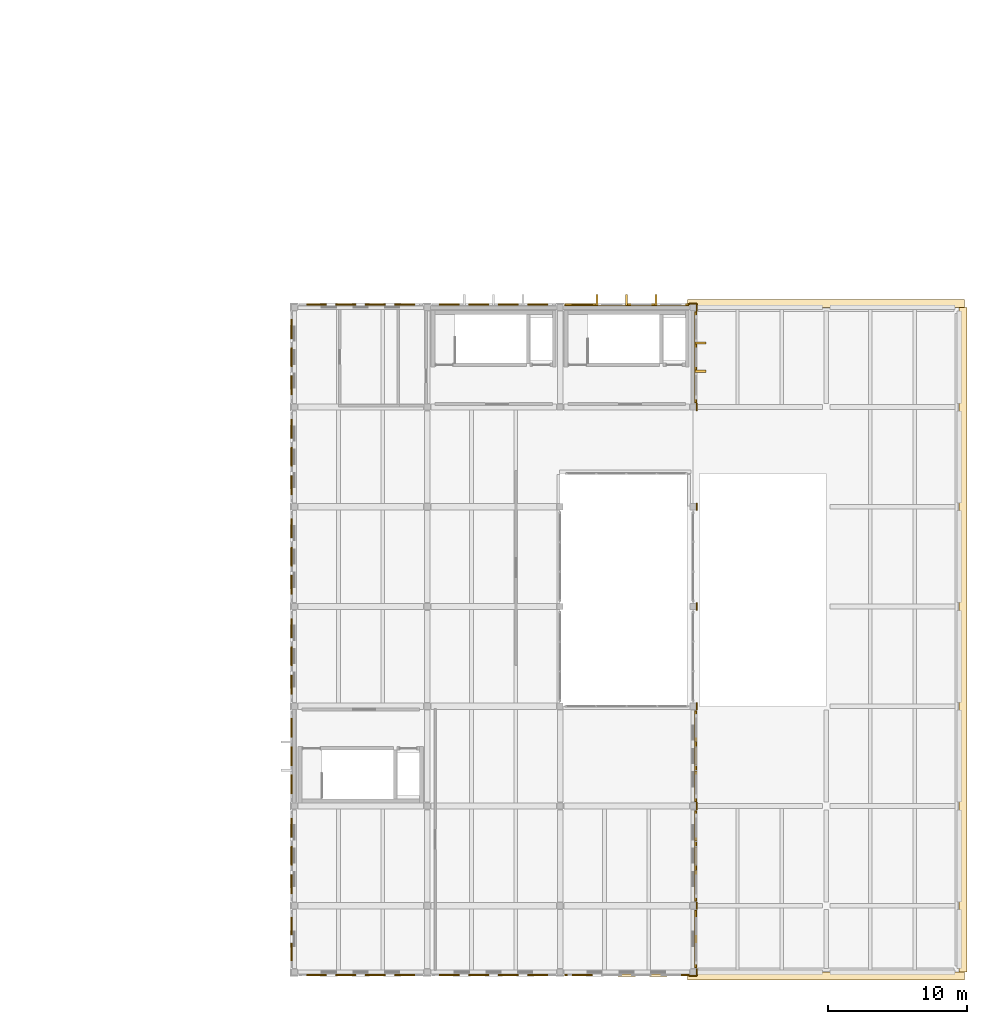
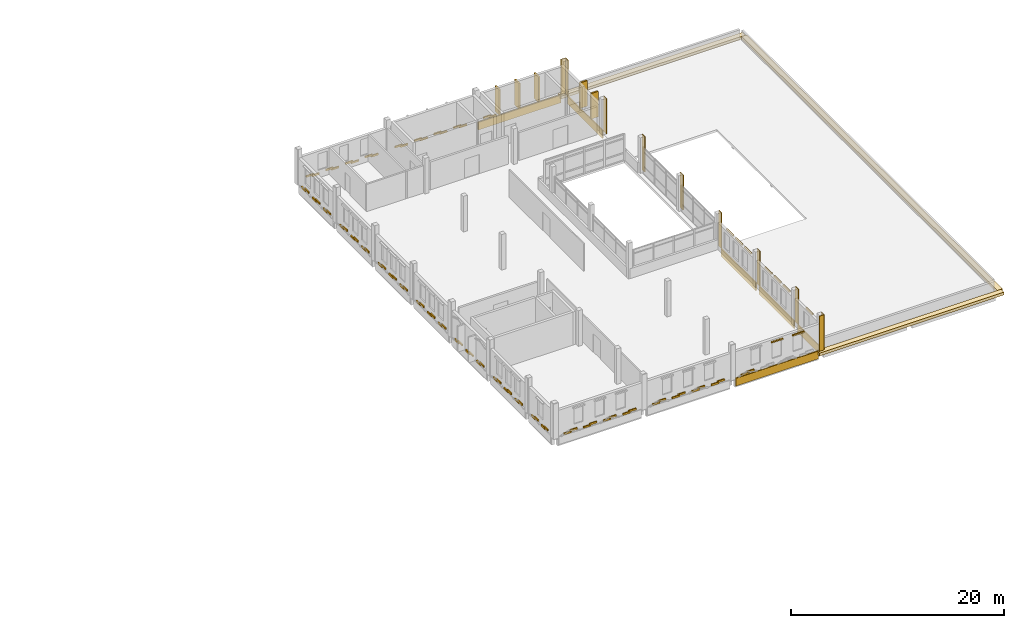
# One storey, part 48 of 50: 109 coverings.
"""IFC4 building model written with IfcOpenShell, lengths in metres."""

from ifc_helpers import new_model, si_unit, direction, frame, origin, origin_2d, place, context, subcontext, project, spatial, rectangle, extrude, material, layer, layer_set, type_object, element, save


model = new_model("IFC4")

# Units and contexts
model_context = context("Model", 3, precision=1e-05, world=origin(), true_north=direction((0.0, 1.0)))
body_context = subcontext(model_context, "Body", "Model", "MODEL_VIEW")
ifc_project = project(units=[si_unit("LENGTHUNIT", "METRE"), si_unit("AREAUNIT", "SQUARE_METRE"), si_unit("VOLUMEUNIT", "CUBIC_METRE"), si_unit("PLANEANGLEUNIT", "RADIAN"), si_unit("MASSUNIT", "GRAM", prefix="KILO")], contexts=[model_context])

# Site, building, storey
site_placement = place(None, origin())
site = spatial("IfcSite", under=ifc_project, at=site_placement, CompositionType="ELEMENT")
building_placement = place(site_placement, origin())
building = spatial("IfcBuilding", under=site, at=building_placement, Name="Asteropetra Specialist Clinic", CompositionType="ELEMENT")
storey_placement = place(building_placement, frame((0.0, 0.0, 16.659912109375)))
storey = spatial("IfcBuildingStorey", under=building, at=storey_placement, Name="L04", CompositionType="ELEMENT", Elevation=16.659912109375)

# Coverings
ifc_material_1 = material(Name="Chevron pale marble", Category="masonry")
ifc_layer_1 = layer(ifc_material_1, 0.1201171875)
ifc_layer_set_1 = layer_set([ifc_layer_1], Name="Chevron pale marble")
covering_type_1 = type_object("IfcCoveringType", Name="CLD-AEG-MARB", PredefinedType="CLADDING", material=ifc_layer_set_1)
for number, where, z_axis, x_axis, name in (
    (1, (106.8955078125, -0.202392578125, 0.1201171875), (0.0, 0.0, 1.0), (1.0, 0.0, 0.0), "Chevron Ceramic Band CV-2303"),
    (2, (107.52197265625, -0.202392578125, 0.26025390625), (0.0, 0.0, 1.0), (1.0, 0.0, 0.0), "Chevron Ceramic Band CV-2304"),
    (3, (109.023193359375, -0.202392578125, 0.1201171875), (0.0, 0.0, 1.0), (1.0, 0.0, 0.0), "Chevron Ceramic Band CV-2305"),
    (4, (109.6494140625, -0.202392578125, 0.26025390625), (0.0, 0.0, 1.0), (1.0, 0.0, 0.0), "Chevron Ceramic Band CV-2306"),
    (5, (111.150634765625, -0.202392578125, 0.1201171875), (0.0, 0.0, 1.0), (1.0, 0.0, 0.0), "Chevron Ceramic Band CV-2307"),
    (6, (111.77685546875, -0.202392578125, 0.26025390625), (0.0, 0.0, 1.0), (1.0, 0.0, 0.0), "Chevron Ceramic Band CV-2308"),
    (7, (113.278076171875, -0.202392578125, 0.1201171875), (0.0, 0.0, 1.0), (1.0, 0.0, 0.0), "Chevron Ceramic Band CV-2309"),
    (8, (113.904296875, -0.202392578125, 0.26025390625), (0.0, 0.0, 1.0), (1.0, 0.0, 0.0), "Chevron Ceramic Band CV-2310"),
    (9, (113.904296875, 48.202392578125, 0.1201171875), (0.0, 0.0, 1.0), (1.0, 0.0, 0.0), "Chevron Ceramic Band CV-2315"),
    (10, (113.278076171875, 48.202392578125, 0.26025390625), (0.0, 0.0, 1.0), (1.0, 0.0, 0.0), "Chevron Ceramic Band CV-2316"),
    (11, (111.77685546875, 48.202392578125, 0.1201171875), (0.0, 0.0, 1.0), (1.0, 0.0, 0.0), "Chevron Ceramic Band CV-2317"),
    (12, (111.150634765625, 48.202392578125, 0.26025390625), (0.0, 0.0, 1.0), (1.0, 0.0, 0.0), "Chevron Ceramic Band CV-2318"),
    (13, (109.6494140625, 48.202392578125, 0.1201171875), (0.0, 0.0, 1.0), (1.0, 0.0, 0.0), "Chevron Ceramic Band CV-2319"),
    (14, (109.023193359375, 48.202392578125, 0.26025390625), (0.0, 0.0, 1.0), (1.0, 0.0, 0.0), "Chevron Ceramic Band CV-2320"),
    (15, (107.52197265625, 48.202392578125, 0.1201171875), (0.0, 0.0, 1.0), (1.0, 0.0, 0.0), "Chevron Ceramic Band CV-2321"),
    (16, (106.8955078125, 48.202392578125, 0.26025390625), (0.0, 0.0, 1.0), (1.0, 0.0, 0.0), "Chevron Ceramic Band CV-2322"),
    (17, (116.49560546875, -0.202392578125, 0.1201171875), (0.0, 0.0, 1.0), (1.0, 0.0, 0.0), "Chevron Ceramic Band CV-2327"),
    (18, (117.121826171875, -0.202392578125, 0.26025390625), (0.0, 0.0, 1.0), (1.0, 0.0, 0.0), "Chevron Ceramic Band CV-2328"),
    (19, (118.623046875, -0.202392578125, 0.1201171875), (0.0, 0.0, 1.0), (1.0, 0.0, 0.0), "Chevron Ceramic Band CV-2329"),
    (20, (119.24951171875, -0.202392578125, 0.26025390625), (0.0, 0.0, 1.0), (1.0, 0.0, 0.0), "Chevron Ceramic Band CV-2330"),
    (21, (120.75048828125, -0.202392578125, 0.1201171875), (0.0, 0.0, 1.0), (1.0, 0.0, 0.0), "Chevron Ceramic Band CV-2331"),
    (22, (121.376953125, -0.202392578125, 0.26025390625), (0.0, 0.0, 1.0), (1.0, 0.0, 0.0), "Chevron Ceramic Band CV-2332"),
    (23, (122.878173828125, -0.202392578125, 0.1201171875), (0.0, 0.0, 1.0), (1.0, 0.0, 0.0), "Chevron Ceramic Band CV-2333"),
    (24, (123.50439453125, -0.202392578125, 0.26025390625), (0.0, 0.0, 1.0), (1.0, 0.0, 0.0), "Chevron Ceramic Band CV-2334"),
    (25, (123.50439453125, 48.202392578125, 0.1201171875), (0.0, 0.0, 1.0), (1.0, 0.0, 0.0), "Chevron Ceramic Band CV-2336"),
    (26, (122.878173828125, 48.202392578125, 0.26025390625), (0.0, 0.0, 1.0), (1.0, 0.0, 0.0), "Chevron Ceramic Band CV-2337"),
    (27, (121.376953125, 48.202392578125, 0.1201171875), (0.0, 0.0, 1.0), (1.0, 0.0, 0.0), "Chevron Ceramic Band CV-2338"),
    (28, (120.75048828125, 48.202392578125, 0.26025390625), (0.0, 0.0, 1.0), (1.0, 0.0, 0.0), "Chevron Ceramic Band CV-2339"),
    (29, (119.24951171875, 48.202392578125, 0.1201171875), (0.0, 0.0, 1.0), (1.0, 0.0, 0.0), "Chevron Ceramic Band CV-2340"),
    (30, (118.623046875, 48.202392578125, 0.26025390625), (0.0, 0.0, 1.0), (1.0, 0.0, 0.0), "Chevron Ceramic Band CV-2341"),
    (31, (117.121826171875, 48.202392578125, 0.1201171875), (0.0, 0.0, 1.0), (1.0, 0.0, 0.0), "Chevron Ceramic Band CV-2342"),
    (32, (116.49560546875, 48.202392578125, 0.26025390625), (0.0, 0.0, 1.0), (1.0, 0.0, 0.0), "Chevron Ceramic Band CV-2343"),
):
    element("IfcCovering", number, at=place(storey_placement, frame(where, z_axis=z_axis, x_axis=x_axis)), inside=storey, type_object=covering_type_1, Name=name, PredefinedType="CLADDING", context=body_context, shape_type="SweptSolid", body=[
        extrude(rectangle(XDim=0.80810546875, YDim=0.1201171875, at=origin_2d()), origin(), (0.0, 0.0, 1.0), 0.199951171875),
    ])
covering_1_placement = place(storey_placement, frame((129.60009765625, -0.1875, -0.7998046875), z_axis=(0.0, 0.0, 1.0), x_axis=(1.0, 0.0, 0.0)))
element("IfcCovering", 33, at=covering_1_placement, inside=storey, type_object=covering_type_1, Name="Chevron Spandrel Band CV-2347", PredefinedType="CLADDING", context=body_context, shape_type="SweptSolid", body=[
    extrude(rectangle(XDim=8.949951171875, YDim=0.1201171875, at=origin_2d()), origin(), (0.0, 0.0, 1.0), 0.8798828125),
])
for number, where, z_axis, x_axis, name in (
    (34, (126.095703125, -0.202392578125, 0.1201171875), (0.0, 0.0, 1.0), (1.0, 0.0, 0.0), "Chevron Ceramic Band CV-2348"),
    (35, (126.721923828125, -0.202392578125, 0.26025390625), (0.0, 0.0, 1.0), (1.0, 0.0, 0.0), "Chevron Ceramic Band CV-2349"),
):
    element("IfcCovering", number, at=place(storey_placement, frame(where, z_axis=z_axis, x_axis=x_axis)), inside=storey, type_object=covering_type_1, Name=name, PredefinedType="CLADDING", context=body_context, shape_type="SweptSolid", body=[
        extrude(rectangle(XDim=0.80810546875, YDim=0.1201171875, at=origin_2d()), origin(), (0.0, 0.0, 1.0), 0.199951171875),
    ])
covering_2_placement = place(storey_placement, frame((129.60009765625, 48.1875, -0.7998046875), z_axis=(0.0, 0.0, 1.0), x_axis=(1.0, 0.0, 0.0)))
element("IfcCovering", 36, at=covering_2_placement, inside=storey, type_object=covering_type_1, Name="Chevron Spandrel Band CV-2356", PredefinedType="CLADDING", context=body_context, shape_type="SweptSolid", body=[
    extrude(rectangle(XDim=8.949951171875, YDim=0.1201171875, at=origin_2d()), origin(), (0.0, 0.0, 1.0), 0.8798828125),
])
for number, where, z_axis, x_axis, name in (
    (37, (126.721923828125, 48.202392578125, 0.1201171875), (0.0, 0.0, 1.0), (1.0, 0.0, 0.0), "Chevron Ceramic Band CV-2363"),
    (38, (126.095703125, 48.202392578125, 0.26025390625), (0.0, 0.0, 1.0), (1.0, 0.0, 0.0), "Chevron Ceramic Band CV-2364"),
):
    element("IfcCovering", number, at=place(storey_placement, frame(where, z_axis=z_axis, x_axis=x_axis)), inside=storey, type_object=covering_type_1, Name=name, PredefinedType="CLADDING", context=body_context, shape_type="SweptSolid", body=[
        extrude(rectangle(XDim=0.80810546875, YDim=0.1201171875, at=origin_2d()), origin(), (0.0, 0.0, 1.0), 0.199951171875),
    ])
for number, where, z_axis, x_axis, name in (
    (39, (105.3974609375, 3.599853515625, 0.1201171875), (0.0, 0.0, 1.0), (1.0, 0.0, 0.0), "Chevron Ceramic Band CV-2367"),
    (40, (105.3974609375, 3.055419921875, 0.26025390625), (0.0, 0.0, 1.0), (1.0, 0.0, 0.0), "Chevron Ceramic Band CV-2368"),
    (41, (105.3974609375, 1.744873046875, 0.1201171875), (0.0, 0.0, 1.0), (1.0, 0.0, 0.0), "Chevron Ceramic Band CV-2369"),
    (42, (105.3974609375, 1.2001953125, 0.26025390625), (0.0, 0.0, 1.0), (1.0, 0.0, 0.0), "Chevron Ceramic Band CV-2370"),
):
    element("IfcCovering", number, at=place(storey_placement, frame(where, z_axis=z_axis, x_axis=x_axis)), inside=storey, type_object=covering_type_1, Name=name, PredefinedType="CLADDING", context=body_context, shape_type="SweptSolid", body=[
        extrude(rectangle(XDim=0.1201171875, YDim=0.705078125, at=origin_2d()), origin(), (0.0, 0.0, 1.0), 0.199951171875),
    ])
covering_3_placement = place(storey_placement, frame((134.58740234375, 2.39990234375, -0.7998046875), z_axis=(0.0, 0.0, 1.0), x_axis=(1.0, 0.0, 0.0)))
element("IfcCovering", 43, at=covering_3_placement, inside=storey, type_object=covering_type_1, Name="Chevron Spandrel Band CV-2372", PredefinedType="CLADDING", context=body_context, shape_type="SweptSolid", body=[
    extrude(rectangle(XDim=0.1201171875, YDim=4.14990234375, at=origin_2d()), origin(), (0.0, 0.0, 1.0), 0.8798828125),
])
for number, where, z_axis, x_axis, name in (
    (44, (105.3974609375, 10.736083984375, 0.1201171875), (0.0, 0.0, 1.0), (1.0, 0.0, 0.0), "Chevron Ceramic Band CV-2381"),
    (45, (105.3974609375, 10.13720703125, 0.26025390625), (0.0, 0.0, 1.0), (1.0, 0.0, 0.0), "Chevron Ceramic Band CV-2382"),
    (46, (105.3974609375, 8.699462890625, 0.1201171875), (0.0, 0.0, 1.0), (1.0, 0.0, 0.0), "Chevron Ceramic Band CV-2383"),
    (47, (105.3974609375, 8.1005859375, 0.26025390625), (0.0, 0.0, 1.0), (1.0, 0.0, 0.0), "Chevron Ceramic Band CV-2384"),
    (48, (105.3974609375, 6.662841796875, 0.1201171875), (0.0, 0.0, 1.0), (1.0, 0.0, 0.0), "Chevron Ceramic Band CV-2385"),
    (49, (105.3974609375, 6.063720703125, 0.26025390625), (0.0, 0.0, 1.0), (1.0, 0.0, 0.0), "Chevron Ceramic Band CV-2386"),
):
    element("IfcCovering", number, at=place(storey_placement, frame(where, z_axis=z_axis, x_axis=x_axis)), inside=storey, type_object=covering_type_1, Name=name, PredefinedType="CLADDING", context=body_context, shape_type="SweptSolid", body=[
        extrude(rectangle(XDim=0.1201171875, YDim=0.77392578125, at=origin_2d()), origin(), (0.0, 0.0, 1.0), 0.199951171875),
    ])
covering_4_placement = place(storey_placement, frame((134.58740234375, 8.39990234375, -0.7998046875), z_axis=(0.0, 0.0, 1.0), x_axis=(1.0, 0.0, 0.0)))
element("IfcCovering", 50, at=covering_4_placement, inside=storey, type_object=covering_type_1, Name="Chevron Spandrel Band CV-2390", PredefinedType="CLADDING", context=body_context, shape_type="SweptSolid", body=[
    extrude(rectangle(XDim=0.1201171875, YDim=6.550048828125, at=origin_2d()), origin(), (0.0, 0.0, 1.0), 0.8798828125),
])
for number, where, z_axis, x_axis, name in (
    (51, (105.3974609375, 17.936279296875, 0.1201171875), (0.0, 0.0, 1.0), (1.0, 0.0, 0.0), "Chevron Ceramic Band CV-2398"),
    (52, (105.3974609375, 17.337158203125, 0.26025390625), (0.0, 0.0, 1.0), (1.0, 0.0, 0.0), "Chevron Ceramic Band CV-2399"),
    (53, (105.3974609375, 15.8994140625, 0.1201171875), (0.0, 0.0, 1.0), (1.0, 0.0, 0.0), "Chevron Ceramic Band CV-2400"),
    (54, (105.3974609375, 15.300537109375, 0.26025390625), (0.0, 0.0, 1.0), (1.0, 0.0, 0.0), "Chevron Ceramic Band CV-2401"),
    (55, (105.3974609375, 13.86279296875, 0.1201171875), (0.0, 0.0, 1.0), (1.0, 0.0, 0.0), "Chevron Ceramic Band CV-2402"),
    (56, (105.3974609375, 13.263916015625, 0.26025390625), (0.0, 0.0, 1.0), (1.0, 0.0, 0.0), "Chevron Ceramic Band CV-2403"),
):
    element("IfcCovering", number, at=place(storey_placement, frame(where, z_axis=z_axis, x_axis=x_axis)), inside=storey, type_object=covering_type_1, Name=name, PredefinedType="CLADDING", context=body_context, shape_type="SweptSolid", body=[
        extrude(rectangle(XDim=0.1201171875, YDim=0.77392578125, at=origin_2d()), origin(), (0.0, 0.0, 1.0), 0.199951171875),
    ])
covering_5_placement = place(storey_placement, frame((134.58740234375, 15.60009765625, -0.7998046875), z_axis=(0.0, 0.0, 1.0), x_axis=(1.0, 0.0, 0.0)))
element("IfcCovering", 57, at=covering_5_placement, inside=storey, type_object=covering_type_1, Name="Chevron Spandrel Band CV-2407", PredefinedType="CLADDING", context=body_context, shape_type="SweptSolid", body=[
    extrude(rectangle(XDim=0.1201171875, YDim=6.550048828125, at=origin_2d()), origin(), (0.0, 0.0, 1.0), 0.8798828125),
])
for number, where, z_axis, x_axis, name in (
    (58, (105.3974609375, 25.13623046875, 0.1201171875), (0.0, 0.0, 1.0), (1.0, 0.0, 0.0), "Chevron Ceramic Band CV-2418"),
    (59, (105.3974609375, 24.537109375, 0.26025390625), (0.0, 0.0, 1.0), (1.0, 0.0, 0.0), "Chevron Ceramic Band CV-2419"),
    (60, (105.3974609375, 23.099609375, 0.1201171875), (0.0, 0.0, 1.0), (1.0, 0.0, 0.0), "Chevron Ceramic Band CV-2420"),
    (61, (105.3974609375, 22.50048828125, 0.26025390625), (0.0, 0.0, 1.0), (1.0, 0.0, 0.0), "Chevron Ceramic Band CV-2421"),
    (62, (105.3974609375, 21.062744140625, 0.1201171875), (0.0, 0.0, 1.0), (1.0, 0.0, 0.0), "Chevron Ceramic Band CV-2422"),
    (63, (105.3974609375, 20.4638671875, 0.26025390625), (0.0, 0.0, 1.0), (1.0, 0.0, 0.0), "Chevron Ceramic Band CV-2423"),
    (64, (105.3974609375, 32.336181640625, 0.1201171875), (0.0, 0.0, 1.0), (1.0, 0.0, 0.0), "Chevron Ceramic Band CV-2428"),
    (65, (105.3974609375, 31.7373046875, 0.26025390625), (0.0, 0.0, 1.0), (1.0, 0.0, 0.0), "Chevron Ceramic Band CV-2429"),
    (66, (105.3974609375, 30.299560546875, 0.1201171875), (0.0, 0.0, 1.0), (1.0, 0.0, 0.0), "Chevron Ceramic Band CV-2430"),
    (67, (105.3974609375, 29.700439453125, 0.26025390625), (0.0, 0.0, 1.0), (1.0, 0.0, 0.0), "Chevron Ceramic Band CV-2431"),
    (68, (105.3974609375, 28.2626953125, 0.1201171875), (0.0, 0.0, 1.0), (1.0, 0.0, 0.0), "Chevron Ceramic Band CV-2432"),
    (69, (105.3974609375, 27.663818359375, 0.26025390625), (0.0, 0.0, 1.0), (1.0, 0.0, 0.0), "Chevron Ceramic Band CV-2433"),
    (70, (105.3974609375, 39.5361328125, 0.1201171875), (0.0, 0.0, 1.0), (1.0, 0.0, 0.0), "Chevron Ceramic Band CV-2438"),
    (71, (105.3974609375, 38.937255859375, 0.26025390625), (0.0, 0.0, 1.0), (1.0, 0.0, 0.0), "Chevron Ceramic Band CV-2439"),
    (72, (105.3974609375, 37.49951171875, 0.1201171875), (0.0, 0.0, 1.0), (1.0, 0.0, 0.0), "Chevron Ceramic Band CV-2440"),
    (73, (105.3974609375, 36.900390625, 0.26025390625), (0.0, 0.0, 1.0), (1.0, 0.0, 0.0), "Chevron Ceramic Band CV-2441"),
    (74, (105.3974609375, 35.462890625, 0.1201171875), (0.0, 0.0, 1.0), (1.0, 0.0, 0.0), "Chevron Ceramic Band CV-2442"),
    (75, (105.3974609375, 34.86376953125, 0.26025390625), (0.0, 0.0, 1.0), (1.0, 0.0, 0.0), "Chevron Ceramic Band CV-2443"),
    (76, (105.3974609375, 46.736083984375, 0.1201171875), (0.0, 0.0, 1.0), (1.0, 0.0, 0.0), "Chevron Ceramic Band CV-2448"),
    (77, (105.3974609375, 46.13720703125, 0.26025390625), (0.0, 0.0, 1.0), (1.0, 0.0, 0.0), "Chevron Ceramic Band CV-2449"),
    (78, (105.3974609375, 44.699462890625, 0.1201171875), (0.0, 0.0, 1.0), (1.0, 0.0, 0.0), "Chevron Ceramic Band CV-2450"),
    (79, (105.3974609375, 44.1005859375, 0.26025390625), (0.0, 0.0, 1.0), (1.0, 0.0, 0.0), "Chevron Ceramic Band CV-2451"),
    (80, (105.3974609375, 42.662841796875, 0.1201171875), (0.0, 0.0, 1.0), (1.0, 0.0, 0.0), "Chevron Ceramic Band CV-2452"),
    (81, (105.3974609375, 42.063720703125, 0.26025390625), (0.0, 0.0, 1.0), (1.0, 0.0, 0.0), "Chevron Ceramic Band CV-2453"),
):
    element("IfcCovering", number, at=place(storey_placement, frame(where, z_axis=z_axis, x_axis=x_axis)), inside=storey, type_object=covering_type_1, Name=name, PredefinedType="CLADDING", context=body_context, shape_type="SweptSolid", body=[
        extrude(rectangle(XDim=0.1201171875, YDim=0.77392578125, at=origin_2d()), origin(), (0.0, 0.0, 1.0), 0.199951171875),
    ])
covering_6_placement = place(storey_placement, frame((134.58740234375, 44.39990234375, -0.7998046875), z_axis=(0.0, 0.0, 1.0), x_axis=(1.0, 0.0, 0.0)))
element("IfcCovering", 82, at=covering_6_placement, inside=storey, type_object=covering_type_1, Name="Chevron Spandrel Band CV-2454", PredefinedType="CLADDING", context=body_context, shape_type="SweptSolid", body=[
    extrude(rectangle(XDim=0.1201171875, YDim=6.550048828125, at=origin_2d()), origin(), (0.0, 0.0, 1.0), 0.8798828125),
])
ifc_material_2 = material(Name="Pentelic marble ashlar", Category="masonry")
ifc_layer_2 = layer(ifc_material_2, 0.159912109375)
ifc_layer_set_2 = layer_set([ifc_layer_2], Name="Pentelic marble ashlar")
covering_type_2 = type_object("IfcCoveringType", Name="CRN-ENTAB-600", PredefinedType="MOLDING", material=ifc_layer_set_2)
covering_7_placement = place(storey_placement, frame((134.39990234375, -0.257080078125, 0.02001953125), z_axis=(0.0, 0.0, 1.0), x_axis=(1.0, 0.0, 0.0)))
element("IfcCovering", 83, at=covering_7_placement, inside=storey, type_object=covering_type_2, Name="Neoclassical Pilaster Facing CM-1179", PredefinedType="MOLDING", context=body_context, shape_type="SweptSolid", body=[
    extrude(rectangle(XDim=0.530029296875, YDim=0.080078125, at=origin_2d()), origin(), (0.0, 0.0, 1.0), 4.0400390625),
])
for number, where, z_axis, x_axis, name in (
    (84, (134.656982421875, 0.0, 0.02001953125), (0.0, 0.0, 1.0), (1.0, 0.0, 0.0), "Neoclassical Pilaster Facing CM-1180"),
    (85, (134.656982421875, 4.800048828125, 0.02001953125), (0.0, 0.0, 1.0), (1.0, 0.0, 0.0), "Neoclassical Pilaster Facing CM-1181"),
    (86, (134.656982421875, 12.0, 0.02001953125), (0.0, 0.0, 1.0), (1.0, 0.0, 0.0), "Neoclassical Pilaster Facing CM-1182"),
    (87, (134.656982421875, 19.199951171875, 0.02001953125), (0.0, 0.0, 1.0), (1.0, 0.0, 0.0), "Neoclassical Pilaster Facing CM-1183"),
    (88, (134.656982421875, 26.39990234375, 0.02001953125), (0.0, 0.0, 1.0), (1.0, 0.0, 0.0), "Neoclassical Pilaster Facing CM-1184"),
    (89, (134.656982421875, 33.60009765625, 0.02001953125), (0.0, 0.0, 1.0), (1.0, 0.0, 0.0), "Neoclassical Pilaster Facing CM-1185"),
    (90, (134.656982421875, 40.800048828125, 0.02001953125), (0.0, 0.0, 1.0), (1.0, 0.0, 0.0), "Neoclassical Pilaster Facing CM-1186"),
):
    element("IfcCovering", number, at=place(storey_placement, frame(where, z_axis=z_axis, x_axis=x_axis)), inside=storey, type_object=covering_type_2, Name=name, PredefinedType="MOLDING", context=body_context, shape_type="SweptSolid", body=[
        extrude(rectangle(XDim=0.080078125, YDim=0.530029296875, at=origin_2d()), origin(), (0.0, 0.0, 1.0), 4.0400390625),
    ])
covering_8_placement = place(storey_placement, frame((134.39990234375, 48.257080078125, 0.02001953125), z_axis=(0.0, 0.0, 1.0), x_axis=(1.0, 0.0, 0.0)))
element("IfcCovering", 91, at=covering_8_placement, inside=storey, type_object=covering_type_2, Name="Neoclassical Pilaster Facing CM-1187", PredefinedType="MOLDING", context=body_context, shape_type="SweptSolid", body=[
    extrude(rectangle(XDim=0.530029296875, YDim=0.080078125, at=origin_2d()), origin(), (0.0, 0.0, 1.0), 4.0400390625),
])
covering_9_placement = place(storey_placement, frame((134.656982421875, 48.0, 0.02001953125), z_axis=(0.0, 0.0, 1.0), x_axis=(1.0, 0.0, 0.0)))
element("IfcCovering", 92, at=covering_9_placement, inside=storey, type_object=covering_type_2, Name="Neoclassical Pilaster Facing CM-1188", PredefinedType="MOLDING", context=body_context, shape_type="SweptSolid", body=[
    extrude(rectangle(XDim=0.080078125, YDim=0.530029296875, at=origin_2d()), origin(), (0.0, 0.0, 1.0), 4.0400390625),
])
for number, where, z_axis, x_axis, name in (
    (93, (129.60009765625, -0.217529296875, 2.77001953125), (0.0, 0.0, 1.0), (1.0, 0.0, 0.0), "Classical Window Hood WH-2345"),
    (94, (131.887451171875, -0.217529296875, 2.77001953125), (0.0, 0.0, 1.0), (1.0, 0.0, 0.0), "Classical Window Hood WH-2346"),
):
    element("IfcCovering", number, at=place(storey_placement, frame(where, z_axis=z_axis, x_axis=x_axis)), inside=storey, type_object=covering_type_2, Name=name, PredefinedType="MOLDING", context=body_context, shape_type="SweptSolid", body=[
        extrude(rectangle(XDim=1.260009765625, YDim=0.159912109375, at=origin_2d()), origin(), (0.0, 0.0, 1.0), 0.139892578125),
    ])
for number, where, z_axis, x_axis, name in (
    (95, (134.617431640625, 2.39990234375, 2.77001953125), (0.0, 0.0, 1.0), (1.0, 0.0, 0.0), "Classical Window Hood WH-2371"),
    (96, (134.617431640625, 6.71240234375, 2.77001953125), (0.0, 0.0, 1.0), (1.0, 0.0, 0.0), "Classical Window Hood WH-2387"),
    (97, (134.617431640625, 8.39990234375, 2.77001953125), (0.0, 0.0, 1.0), (1.0, 0.0, 0.0), "Classical Window Hood WH-2388"),
    (98, (134.617431640625, 10.08740234375, 2.77001953125), (0.0, 0.0, 1.0), (1.0, 0.0, 0.0), "Classical Window Hood WH-2389"),
    (99, (134.617431640625, 13.91259765625, 2.77001953125), (0.0, 0.0, 1.0), (1.0, 0.0, 0.0), "Classical Window Hood WH-2404"),
    (100, (134.617431640625, 15.60009765625, 2.77001953125), (0.0, 0.0, 1.0), (1.0, 0.0, 0.0), "Classical Window Hood WH-2405"),
    (101, (134.617431640625, 17.28759765625, 2.77001953125), (0.0, 0.0, 1.0), (1.0, 0.0, 0.0), "Classical Window Hood WH-2406"),
):
    element("IfcCovering", number, at=place(storey_placement, frame(where, z_axis=z_axis, x_axis=x_axis)), inside=storey, type_object=covering_type_2, Name=name, PredefinedType="MOLDING", context=body_context, shape_type="SweptSolid", body=[
        extrude(rectangle(XDim=0.159912109375, YDim=1.260009765625, at=origin_2d()), origin(), (0.0, 0.0, 1.0), 0.139892578125),
    ])
for number, where, z_axis, x_axis, name in (
    (102, (144.0, -0.280029296875, -0.27978515625), (0.0, 0.0, 1.0), (1.0, 0.0, 0.0), "Classical Entablature Cornice EC-034"),
    (103, (144.0, 48.280029296875, -0.27978515625), (0.0, 0.0, 1.0), (1.0, 0.0, 0.0), "Classical Entablature Cornice EC-035"),
):
    element("IfcCovering", number, at=place(storey_placement, frame(where, z_axis=z_axis, x_axis=x_axis)), inside=storey, type_object=covering_type_2, Name=name, PredefinedType="MOLDING", context=body_context, shape_type="SweptSolid", body=[
        extrude(rectangle(XDim=20.0, YDim=0.56005859375, at=origin_2d()), origin(), (0.0, 0.0, 1.0), 0.320068359375),
    ])
covering_10_placement = place(storey_placement, frame((153.8798828125, 24.0, -0.27978515625), z_axis=(0.0, 0.0, 1.0), x_axis=(1.0, 0.0, 0.0)))
element("IfcCovering", 104, at=covering_10_placement, inside=storey, type_object=covering_type_2, Name="Classical Entablature Cornice EC-036", PredefinedType="MOLDING", context=body_context, shape_type="SweptSolid", body=[
    extrude(rectangle(XDim=0.56005859375, YDim=48.0, at=origin_2d()), origin(), (0.0, 0.0, 1.0), 0.320068359375),
])
ifc_material_3 = material(Name="Pentelic marble solar fin", Category="masonry")
ifc_layer_3 = layer(ifc_material_3, 0.080078125)
ifc_layer_set_3 = layer_set([ifc_layer_3], Name="Pentelic marble solar fin")
covering_type_3 = type_object("IfcCoveringType", Name="FIN-SOLAR-800", PredefinedType="MOLDING", material=ifc_layer_set_3)
for number, where, z_axis, x_axis, name in (
    (105, (131.7275390625, 48.54248046875, 0.070068359375), (0.0, 0.0, 1.0), (1.0, 0.0, 0.0), "Solar Shading Fin FN-0275"),
    (106, (129.60009765625, 48.54248046875, 0.070068359375), (0.0, 0.0, 1.0), (1.0, 0.0, 0.0), "Solar Shading Fin FN-0276"),
    (107, (127.472412109375, 48.54248046875, 0.070068359375), (0.0, 0.0, 1.0), (1.0, 0.0, 0.0), "Solar Shading Fin FN-0277"),
):
    element("IfcCovering", number, at=place(storey_placement, frame(where, z_axis=z_axis, x_axis=x_axis)), inside=storey, type_object=covering_type_3, Name=name, PredefinedType="MOLDING", context=body_context, shape_type="SweptSolid", body=[
        extrude(rectangle(XDim=0.159912109375, YDim=0.800048828125, at=origin_2d()), origin(), (0.0, 0.0, 1.0), 2.919921875),
    ])
for number, where, z_axis, x_axis, name in (
    (108, (134.9423828125, 43.381591796875, 0.070068359375), (0.0, 0.0, 1.0), (1.0, 0.0, 0.0), "Solar Shading Fin FN-0280"),
    (109, (134.9423828125, 45.418212890625, 0.070068359375), (0.0, 0.0, 1.0), (1.0, 0.0, 0.0), "Solar Shading Fin FN-0281"),
):
    element("IfcCovering", number, at=place(storey_placement, frame(where, z_axis=z_axis, x_axis=x_axis)), inside=storey, type_object=covering_type_3, Name=name, PredefinedType="MOLDING", context=body_context, shape_type="SweptSolid", body=[
        extrude(rectangle(XDim=0.800048828125, YDim=0.159912109375, at=origin_2d()), origin(), (0.0, 0.0, 1.0), 2.919921875),
    ])

save(model, "model.ifc")
